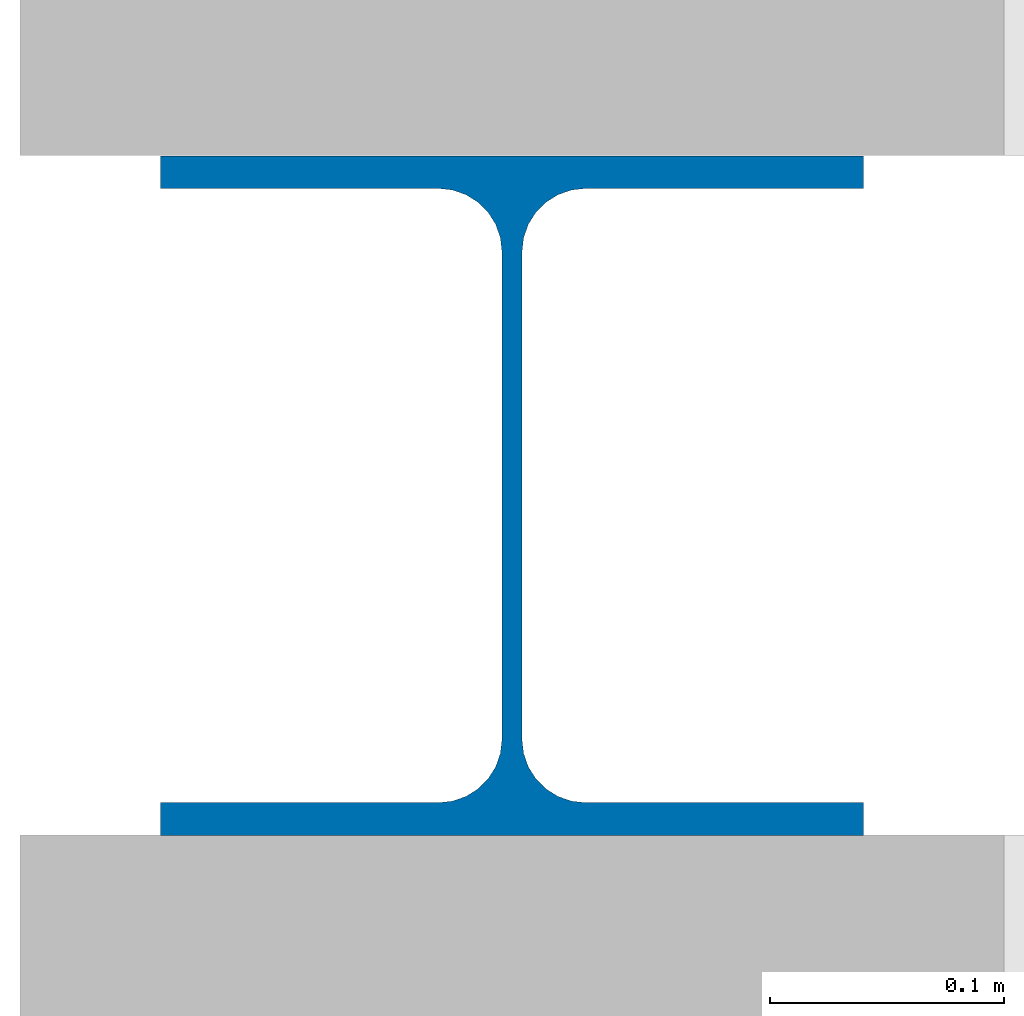
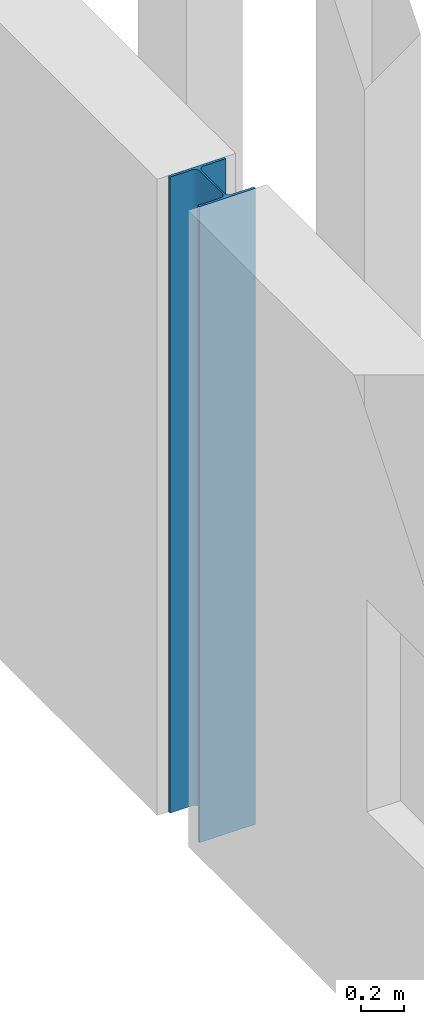
# One storey, part 21 of 143: 1 column.
"""IFC4 building model written with IfcOpenShell, lengths in metres."""

from ifc_helpers import new_model, si_unit, direction, frame, origin, origin_2d, place, context, subcontext, project, spatial, i_section, extrude, material, material_profile, profile_set, type_object, element, save


model = new_model("IFC4")

# Units and contexts
model_context = context("Model", 3, precision=1e-05, world=origin(), true_north=direction((0.0, 1.0)))
body_context = subcontext(model_context, "Body", "Model", "MODEL_VIEW")
ifc_project = project(units=[si_unit("LENGTHUNIT", "METRE"), si_unit("AREAUNIT", "SQUARE_METRE"), si_unit("VOLUMEUNIT", "CUBIC_METRE"), si_unit("PLANEANGLEUNIT", "RADIAN"), si_unit("MASSUNIT", "GRAM", prefix="KILO")], contexts=[model_context])

# Site, building, storey
site_placement = place(None, origin())
site = spatial("IfcSite", under=ifc_project, at=site_placement, CompositionType="ELEMENT")
building_placement = place(site_placement, origin())
building = spatial("IfcBuilding", under=site, at=building_placement, Name="Kupolbacken Congress Centre", CompositionType="ELEMENT")
storey_placement = place(building_placement, frame((0.0, 0.0, 7.199951171875)))
storey = spatial("IfcBuildingStorey", under=building, at=storey_placement, Name="L02", CompositionType="ELEMENT", Elevation=7.199951171875)

# Column
ifc_material = material(Name="Steel S355", Category="steel")
ifc_material_profile = material_profile(ifc_material, i_section(OverallWidth=0.300048828125, OverallDepth=0.2900390625, WebThickness=0.008544921875, FlangeThickness=0.013916015625, FilletRadius=0.027099609375, at=origin_2d()), Name="HEA 300")
ifc_profile_set = profile_set([ifc_material_profile], Name="Steel S355")
column_type = type_object("IfcColumnType", Name="C09 column HEA 300", PredefinedType="COLUMN", material=ifc_profile_set)
column_placement = place(storey_placement, frame((201.60009765625, 79.199951171875, 0.0), z_axis=(0.0, 0.0, 1.0), x_axis=(1.0, 0.0, 0.0)))
element("IfcColumn", 1, at=column_placement, inside=storey, type_object=column_type, Name="S/col/C-H-PE06/L02", PredefinedType="COLUMN", context=body_context, shape_type="SweptSolid", body=[
    extrude(i_section(OverallWidth=0.300048828125, OverallDepth=0.2900390625, WebThickness=0.008544921875, FlangeThickness=0.013916015625, FilletRadius=0.027099609375, at=origin_2d()), origin(), (0.0, 0.0, 1.0), 3.60009765625),
])

save(model, "model.ifc")
